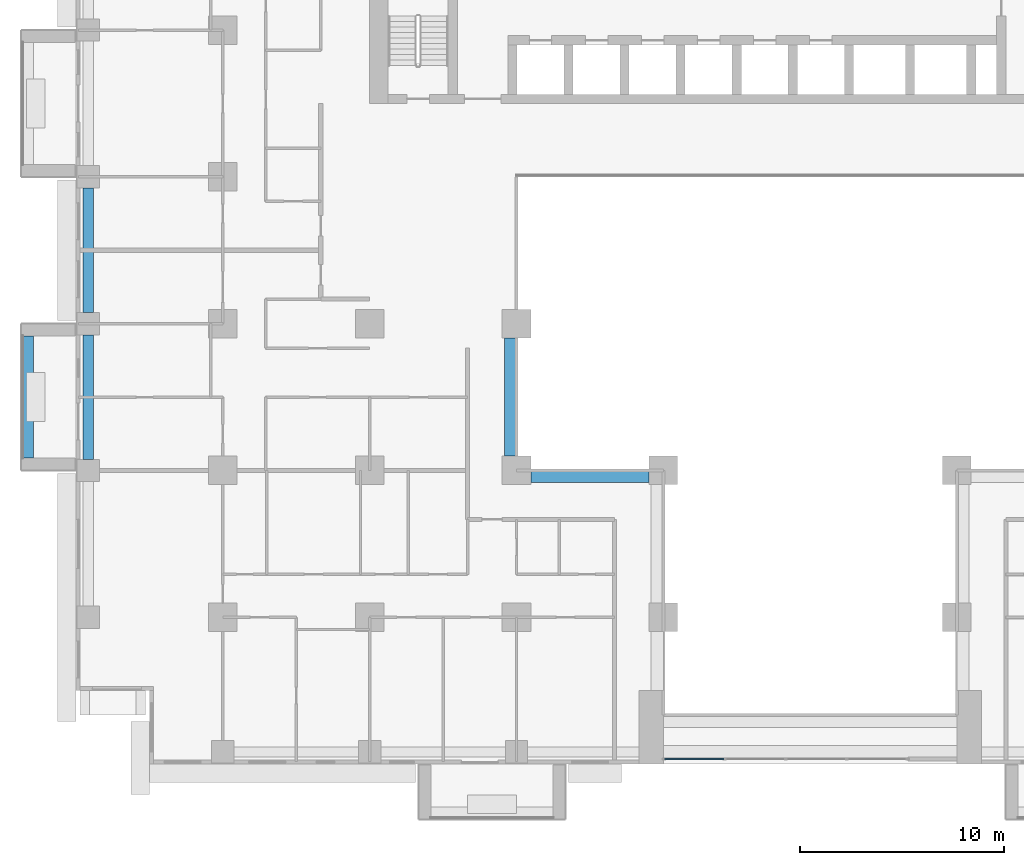
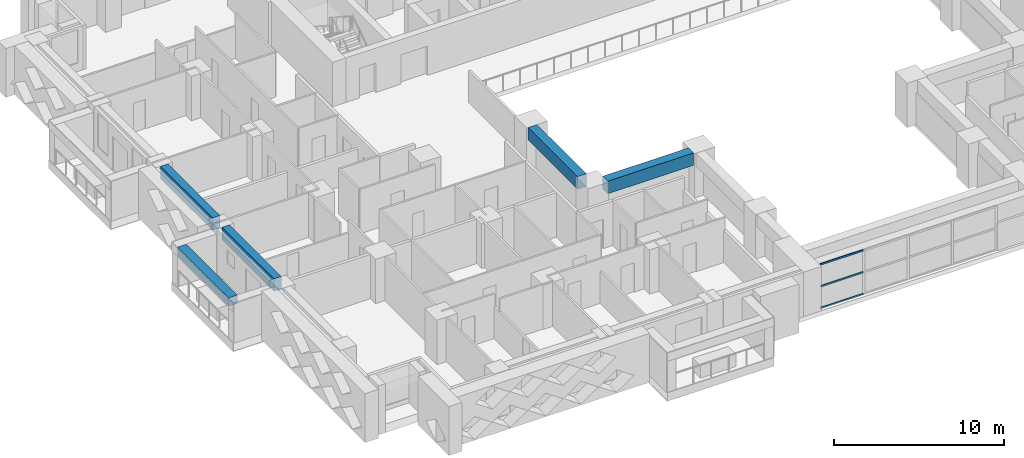
# One storey, part 3 of 17: 5 beams, 3 members, 1 element without a shape of its own.
"""IFC4 building model written with IfcOpenShell, lengths in metres."""

from ifc_helpers import new_model, si_unit, direction, frame, origin, origin_2d, place, context, subcontext, project, spatial, rectangle, extrude, source, transform, mapped, material, layer, layer_set, material_profile, profile_set, type_object, element, aggregate, save


model = new_model("IFC4")

# Units and contexts
model_context = context("Model", 3, precision=1e-05, world=origin(), true_north=direction((0.0, 1.0)))
body_context = subcontext(model_context, "Body", "Model", "MODEL_VIEW")
ifc_project = project(units=[si_unit("LENGTHUNIT", "METRE"), si_unit("AREAUNIT", "SQUARE_METRE"), si_unit("VOLUMEUNIT", "CUBIC_METRE"), si_unit("PLANEANGLEUNIT", "RADIAN"), si_unit("MASSUNIT", "GRAM", prefix="KILO")], contexts=[model_context])

# Site, building, storey
site_placement = place(None, origin())
site = spatial("IfcSite", under=ifc_project, at=site_placement, CompositionType="ELEMENT")
building_placement = place(site_placement, origin())
building = spatial("IfcBuilding", under=site, at=building_placement, Name="Saffron Iwan Residences", CompositionType="ELEMENT")
storey_placement = place(building_placement, frame((0.0, 0.0, 58.5)))
storey = spatial("IfcBuildingStorey", under=building, at=storey_placement, Name="L14", CompositionType="ELEMENT", Elevation=58.5)

# Beams
ifc_material_1 = material(Name="Concrete C60/75", Category="concrete")
ifc_material_profile_1 = material_profile(ifc_material_1, rectangle(XDim=0.5, YDim=0.89990234375, at=origin_2d()), Name="RC 500x900")
ifc_profile_set_1 = profile_set([ifc_material_profile_1], Name="Concrete C60/75")
beam_type_1 = type_object("IfcBeamType", Name="SPANDREL BEAM RC 500x900 C60/75 TOP 3180", PredefinedType="SPANDREL", material=ifc_profile_set_1)
shared_shape_1 = source(origin(), body_context, "Body", "SweptSolid", [
    extrude(rectangle(XDim=0.5, YDim=0.89990234375, at=origin_2d()), origin(), (0.0, 0.0, 1.0), 6.10009765625),
])
beam_1_placement = place(storey_placement, frame((15.0, 55.75, 2.72998046875), z_axis=(0.0, 1.0, 0.0), x_axis=(-1.0, 0.0, 0.0)))
element("IfcBeam", 1, at=beam_1_placement, inside=storey, type_object=beam_type_1, Name="Spandrel beam", PredefinedType="SPANDREL", context=body_context, shape_type="MappedRepresentation", body=[
    mapped(shared_shape_1, transform((0.0, 0.0, 0.0))),
])
shared_shape_2 = source(origin(), body_context, "Body", "SweptSolid", [
    extrude(rectangle(XDim=0.5, YDim=0.89990234375, at=origin_2d()), origin(), (0.0, 0.0, 1.0), 6.099853515625),
])
beam_2_placement = place(storey_placement, frame((15.0, 48.550048828125, 2.72998046875), z_axis=(0.0, 1.0, 0.0), x_axis=(-1.0, 0.0, 0.0)))
element("IfcBeam", 2, at=beam_2_placement, inside=storey, type_object=beam_type_1, Name="Spandrel beam", PredefinedType="SPANDREL", context=body_context, shape_type="MappedRepresentation", body=[
    mapped(shared_shape_2, transform((0.0, 0.0, 0.0))),
])
ifc_material_profile_2 = material_profile(ifc_material_1, rectangle(XDim=0.60009765625, YDim=0.89990234375, at=origin_2d()), Name="RC 600x900")
ifc_profile_set_2 = profile_set([ifc_material_profile_2], Name="Concrete C60/75")
beam_type_2 = type_object("IfcBeamType", Name="BEAM RC 600x900 C60/75 TOP 3180", PredefinedType="BEAM", material=ifc_profile_set_2)
shared_shape_3 = source(origin(), body_context, "Body", "SweptSolid", [
    extrude(rectangle(XDim=0.60009765625, YDim=0.89990234375, at=origin_2d()), origin(), (0.0, 0.0, 1.0), 5.800048828125),
])
for number, where, z_axis, x_axis, name in (
    (3, (42.5, 47.699951171875, 2.72998046875), (-1.0, 0.0, 0.0), (0.0, -1.0, 0.0), "Atrium edge beam"),
    (4, (35.699951171875, 48.699951171875, 2.72998046875), (0.0, 1.0, 0.0), (-1.0, 0.0, 0.0), "Atrium edge beam"),
):
    element("IfcBeam", number, at=place(storey_placement, frame(where, z_axis=z_axis, x_axis=x_axis)), inside=storey, type_object=beam_type_2, Name=name, PredefinedType="BEAM", context=body_context, shape_type="MappedRepresentation", body=[
        mapped(shared_shape_3, transform((0.0, 0.0, 0.0))),
    ])

# Curtain wall, members
ifc_material_2 = material(Name="Clear glass, laminated double glazed", Category="glass")
ifc_layer = layer(ifc_material_2, 0.199951171875)
ifc_layer_set = layer_set([ifc_layer], Name="Clear glass, laminated double glazed")
curtain_wall_type = type_object("IfcCurtainWallType", Name="CW-B IWAN PORTAL", PredefinedType="NOTDEFINED", material=ifc_layer_set)
curtain_wall_placement = place(storey_placement, origin())
curtain_wall = element("IfcCurtainWall", 5, at=curtain_wall_placement, inside=storey, type_object=curtain_wall_type, Name="Iwan portal glazing L14.1", PredefinedType="NOTDEFINED")
ifc_material_3 = material(Name="Aluminium 6063-T6", Category="aluminium")
ifc_material_profile_3 = material_profile(ifc_material_3, rectangle(XDim=0.06005859375, YDim=0.1201171875, at=origin_2d()), Name="CW-B TRANSOM 60 x 120")
ifc_profile_set_3 = profile_set([ifc_material_profile_3], Name="Aluminium 6063-T6")
member_type = type_object("IfcMemberType", Name="CW-B TRANSOM 60 x 120", PredefinedType="USERDEFINED", material=ifc_profile_set_3)
shared_shape_4 = source(origin(), body_context, "Body", "SweptSolid", [
    extrude(rectangle(XDim=0.06005859375, YDim=0.1201171875, at=origin_2d()), origin(), (0.0, 0.0, 1.0), 2.909912109375),
])
member_1_placement = place(storey_placement, frame((43.260009765625, 33.85009765625, 0.030029296875), z_axis=(1.0, 0.0, 0.0), x_axis=(0.0, 1.0, 0.0)))
member_1 = element("IfcMember", 6, at=member_1_placement, type_object=member_type, Name="CW-B transom 1.1", ObjectType="TRANSOM", PredefinedType="USERDEFINED", context=body_context, shape_type="MappedRepresentation", body=[
    mapped(shared_shape_4, transform((0.0, 0.0, 0.0))),
])
member_2_placement = place(storey_placement, frame((43.260009765625, 33.85009765625, 1.590087890625), z_axis=(1.0, 0.0, 0.0), x_axis=(0.0, 1.0, 0.0)))
member_2 = element("IfcMember", 7, at=member_2_placement, type_object=member_type, Name="CW-B transom 1.2", ObjectType="TRANSOM", PredefinedType="USERDEFINED", context=body_context, shape_type="MappedRepresentation", body=[
    mapped(shared_shape_4, transform((0.0, 0.0, 0.0))),
])
member_3_placement = place(storey_placement, frame((43.260009765625, 33.85009765625, 3.14990234375), z_axis=(1.0, 0.0, 0.0), x_axis=(0.0, 1.0, 0.0)))
member_3 = element("IfcMember", 8, at=member_3_placement, type_object=member_type, Name="CW-B transom 1.3", ObjectType="TRANSOM", PredefinedType="USERDEFINED", context=body_context, shape_type="MappedRepresentation", body=[
    mapped(shared_shape_4, transform((0.0, 0.0, 0.0))),
])
aggregate(curtain_wall, [member_1, member_2, member_3])

# Beam
ifc_material_4 = material(Name="Concrete C50/60 white painted", Category="concrete")
ifc_material_profile_4 = material_profile(ifc_material_4, rectangle(XDim=0.60009765625, YDim=0.60009765625, at=origin_2d()), Name="BALCONY FASCIA BEAM 600 x 600")
ifc_profile_set_4 = profile_set([ifc_material_profile_4], Name="Concrete C50/60 white painted")
beam_type_3 = type_object("IfcBeamType", Name="BALCONY FASCIA BEAM 600 x 600", PredefinedType="BEAM", material=ifc_profile_set_4)
shared_shape_5 = source(origin(), body_context, "Body", "SweptSolid", [
    extrude(rectangle(XDim=0.60009765625, YDim=0.60009765625, at=origin_2d()), origin(), (0.0, 0.0, 1.0), 6.0),
])
beam_3_placement = place(storey_placement, frame((12.0, 54.60009765625, 2.550048828125), z_axis=(0.0, -1.0, 0.0), x_axis=(1.0, 0.0, 0.0)))
element("IfcBeam", 9, at=beam_3_placement, inside=storey, type_object=beam_type_3, Name="Balcony fascia beam L14 F8-1", PredefinedType="BEAM", context=body_context, shape_type="MappedRepresentation", body=[
    mapped(shared_shape_5, transform((0.0, 0.0, 0.0))),
])

save(model, "model.ifc")
